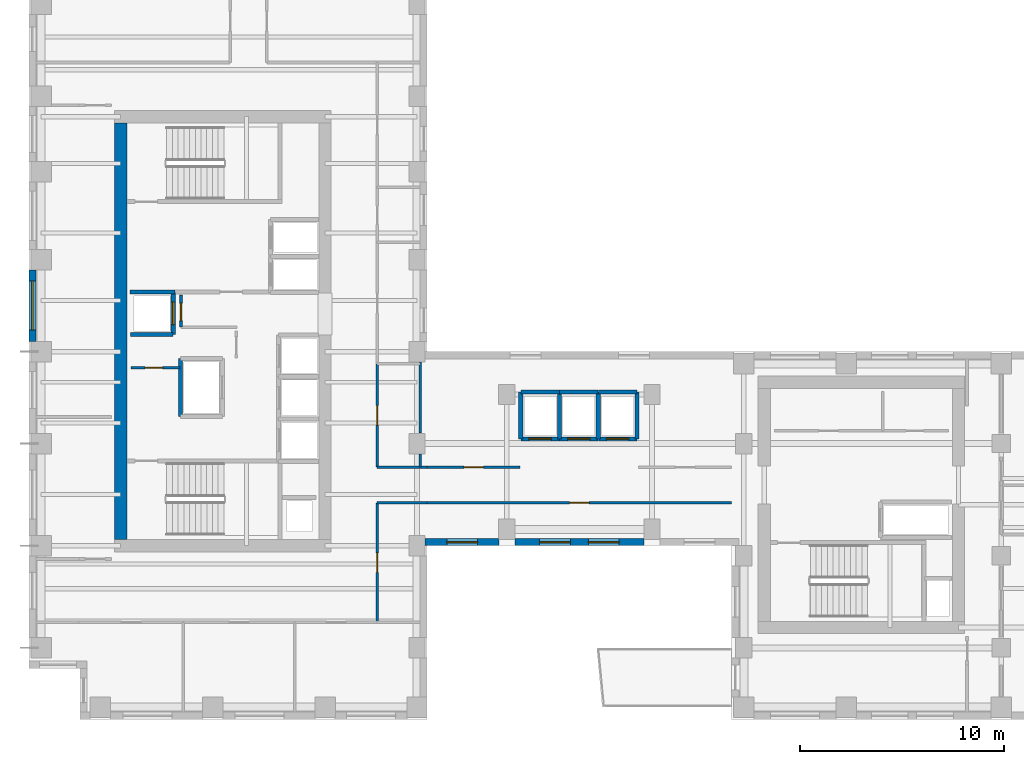
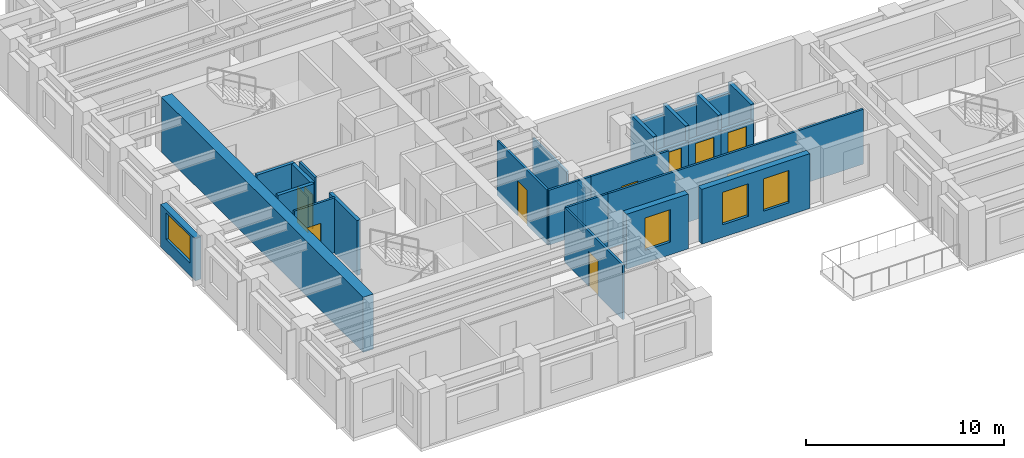
# One storey, part 4 of 12: 28 walls, 10 doors, 4 windows, 14 openings.
"""IFC4 building model written with IfcOpenShell, lengths in metres."""

import ifcopenshell
import ifcopenshell.guid

model = None  # the IFC model being written
_history = None  # IfcOwnerHistory: only IFC2X3 demands one
_inside = {}  # id of a spatial element -> (the spatial element, [elements in it])
_under = {}  # id of a project, library or spatial element -> (it, [spatial elements below it])
_declared = {}  # id of a project -> (the project, [libraries it declares])
_typed = {}  # id of a type object -> (the type object, [elements of that type])
_made_of = {}  # id of a material, layer set ... -> (it, [elements and type objects made of it])


def new_model(schema):
    """Start an empty IFC model of exactly this schema.

    Asked for "IFC4X3", IfcOpenShell would pick the latest addendum, in which some entities
    have other attributes; the version numbers below select the first issue.
    IFC2X3 requires an IfcOwnerHistory on every rooted entity: one is made here for all.
    """
    global model, _history
    if schema == "IFC4X3":
        model = ifcopenshell.file(schema_version=(4, 3, 0, 0))
    else:
        model = ifcopenshell.file(schema=schema)
    _inside.clear()
    _under.clear()
    _declared.clear()
    _typed.clear()
    _made_of.clear()
    _history = None
    if model.schema == "IFC2X3":
        org = make("IfcOrganization", Name="unknown")
        user = make(
            "IfcPersonAndOrganization",
            ThePerson=make("IfcPerson", FamilyName="unknown"),
            TheOrganization=org,
        )
        app = make(
            "IfcApplication",
            ApplicationDeveloper=org,
            Version="unknown",
            ApplicationFullName="unknown",
            ApplicationIdentifier="unknown",
        )
        _history = make(
            "IfcOwnerHistory",
            OwningUser=user,
            OwningApplication=app,
            ChangeAction="ADDED",
            CreationDate=0,
        )
    return model


def make(cls, **values):
    """One entity of the class cls with the attributes given. An attribute that is None is left unset."""
    return model.create_entity(
        cls, **{name: value for name, value in values.items() if value is not None}
    )


def rooted(cls, **values):
    """An entity with a GlobalId (a new one), such as an element, a storey or a relation."""
    return make(cls, GlobalId=ifcopenshell.guid.new(), OwnerHistory=_history, **values)


def si_unit(unit_type, name, prefix=None):
    """IfcSIUnit, for example si_unit("LENGTHUNIT", "METRE", prefix="MILLI")."""
    return make("IfcSIUnit", UnitType=unit_type, Prefix=prefix, Name=name)


def assignment(units):
    """IfcUnitAssignment: the units of a project."""
    return None if units is None else make("IfcUnitAssignment", Units=units)


def point(xyz):
    """IfcCartesianPoint."""
    return None if xyz is None else make("IfcCartesianPoint", Coordinates=xyz)


def direction(xyz):
    """IfcDirection."""
    return None if xyz is None else make("IfcDirection", DirectionRatios=xyz)


def frame(location, z_axis=None, x_axis=None):
    """IfcAxis2Placement3D, a coordinate frame: its origin and axes. An axis left out is left unset."""
    return make(
        "IfcAxis2Placement3D",
        Location=point(location),
        Axis=direction(z_axis),
        RefDirection=direction(x_axis),
    )


def frame_2d(location, x_axis=None):
    """IfcAxis2Placement2D, a coordinate frame in the plane: its origin and x axis."""
    return make(
        "IfcAxis2Placement2D", Location=point(location), RefDirection=direction(x_axis)
    )


def origin():
    """The frame at (0, 0, 0) with its axes left unset."""
    return frame((0.0, 0.0, 0.0))


def place(relative_to, where):
    """IfcLocalPlacement: puts the frame where relative to a parent placement (None: the world)."""
    return make(
        "IfcLocalPlacement", PlacementRelTo=relative_to, RelativePlacement=where
    )


def context(
    kind, dimensions, precision=None, world=None, true_north=None, identifier=None
):
    """IfcGeometricRepresentationContext, for example the 3D "Model" context."""
    return make(
        "IfcGeometricRepresentationContext",
        ContextIdentifier=identifier,
        ContextType=kind,
        CoordinateSpaceDimension=dimensions,
        Precision=precision,
        WorldCoordinateSystem=world,
        TrueNorth=true_north,
    )


def subcontext(parent, identifier, kind, view, scale=None):
    """IfcGeometricRepresentationSubContext, for example "Body" below "Model"."""
    return make(
        "IfcGeometricRepresentationSubContext",
        ContextIdentifier=identifier,
        ContextType=kind,
        ParentContext=parent,
        TargetScale=scale,
        TargetView=view,
    )


def project(units=None, contexts=None):
    """IfcProject with its units and contexts."""
    return rooted(
        "IfcProject",
        Name="project",
        RepresentationContexts=contexts,
        UnitsInContext=assignment(units),
    )


def spatial(cls, under=None, at=None, **own):
    """A site, building, storey or space (cls), placed at a placement, below another one or the project."""
    s = rooted(cls, ObjectPlacement=at, **own)
    if under is not None:
        _under.setdefault(under.id(), (under, []))[1].append(s)
    return s


def profile(cls, at=None, kind="AREA", **sizes):
    """A parametric profile (cls). Its sizes go by their IFC names, for example OverallWidth=200.0."""
    return make(cls, ProfileType=kind, Position=at, **sizes)


def rectangle(**sizes):
    """IfcRectangleProfileDef."""
    return profile("IfcRectangleProfileDef", **sizes)


def extrude(swept, where, along, depth):
    """IfcExtrudedAreaSolid: the profile swept, set in the frame where, extruded along a direction by depth."""
    return make(
        "IfcExtrudedAreaSolid",
        SweptArea=swept,
        Position=where,
        ExtrudedDirection=direction(along),
        Depth=depth,
    )


def shape(context_of_items, identifier, shape_type, items):
    """IfcShapeRepresentation: the items that make up one representation, for example the "Body"."""
    return make(
        "IfcShapeRepresentation",
        ContextOfItems=context_of_items,
        RepresentationIdentifier=identifier,
        RepresentationType=shape_type,
        Items=items,
    )


def source(mapping_origin, context_of_items, identifier, shape_type, items):
    """IfcRepresentationMap: a shape defined once, which mapped items show again and again."""
    return make(
        "IfcRepresentationMap",
        MappingOrigin=mapping_origin,
        MappedRepresentation=shape(context_of_items, identifier, shape_type, items),
    )


def transform(
    local_origin,
    x_axis=None,
    y_axis=None,
    z_axis=None,
    scale=None,
    scale2=None,
    scale3=None,
    uniform=True,
):
    """IfcCartesianTransformationOperator3D, or its non-uniform kind. x_axis, y_axis, z_axis: its Axis1, 2, 3."""
    if uniform:
        return make(
            "IfcCartesianTransformationOperator3D",
            Axis1=direction(x_axis),
            Axis2=direction(y_axis),
            LocalOrigin=point(local_origin),
            Scale=scale,
            Axis3=direction(z_axis),
        )
    return make(
        "IfcCartesianTransformationOperator3DnonUniform",
        Axis1=direction(x_axis),
        Axis2=direction(y_axis),
        LocalOrigin=point(local_origin),
        Scale=scale,
        Axis3=direction(z_axis),
        Scale2=scale2,
        Scale3=scale3,
    )


def mapped(mapping_source, mapping_target):
    """IfcMappedItem: shows the shape of a source again, moved by a transform."""
    return make(
        "IfcMappedItem", MappingSource=mapping_source, MappingTarget=mapping_target
    )


def material(Name=None, Category=None):
    """IfcMaterial."""
    return make("IfcMaterial", Name=Name, Category=Category)


def layer(
    of_material, thickness, ventilated=None, Name=None, Category=None, Priority=None
):
    """IfcMaterialLayer: one layer of a wall or slab, of a material (None: an air gap)."""
    return make(
        "IfcMaterialLayer",
        Material=of_material,
        LayerThickness=thickness,
        IsVentilated=ventilated,
        Name=Name,
        Category=Category,
        Priority=Priority,
    )


def layer_set(layers, Name=None):
    """IfcMaterialLayerSet."""
    return make("IfcMaterialLayerSet", MaterialLayers=layers, LayerSetName=Name)


def made_of(thing, what):
    """Note that an element or type object is made of a material, layer set ...; save() writes the relation."""
    if what is not None:
        _made_of.setdefault(what.id(), (what, []))[1].append(thing)
    return thing


def type_object(cls, material=None, **own):
    """A type object (cls), such as IfcWallType, which elements share."""
    return made_of(rooted(cls, **own), material)


def element(
    cls,
    number,
    at=None,
    inside=None,
    cuts=None,
    type_object=None,
    material=None,
    context=None,
    identifier="Body",
    shape_type=None,
    held_by="IfcProductDefinitionShape",
    body=None,
    shapes=None,
    **own,
):
    """One element of the class cls, such as IfcWall. Its Tag is "e" and its number.

    at: its placement. inside: the storey or other place that contains it. cuts: it is an
    opening in that element (IfcRelVoidsElement). A single representation is given by context,
    identifier, shape_type and body (its items); several are given by shapes. held_by: the class
    of the entity that holds the representations. save() writes the other relations.
    """
    e = rooted(cls, Tag="e%d" % number, ObjectPlacement=at, **own)
    if body is not None:
        shapes = [shape(context, identifier, shape_type, body)]
    if shapes is not None:
        e.Representation = make(held_by, Representations=shapes)
    if inside is not None:
        _inside.setdefault(inside.id(), (inside, []))[1].append(e)
    if cuts is not None:
        rooted(
            "IfcRelVoidsElement", RelatingBuildingElement=cuts, RelatedOpeningElement=e
        )
    if type_object is not None:
        _typed.setdefault(type_object.id(), (type_object, []))[1].append(e)
    return made_of(e, material)


def fill(opening, filler):
    """IfcRelFillsElement: the door or window that sits in an opening."""
    return rooted(
        "IfcRelFillsElement",
        RelatingOpeningElement=opening,
        RelatedBuildingElement=filler,
    )


def aggregate(whole, parts):
    """IfcRelAggregates: a whole, such as a stair, and the parts it consists of."""
    return rooted("IfcRelAggregates", RelatingObject=whole, RelatedObjects=parts)


def save(model, path):
    """Write the relations noted so far, then the file.

    IfcRelAggregates (storeys below a building ...), IfcRelContainedInSpatialStructure (elements
    in a storey), IfcRelDefinesByType, IfcRelAssociatesMaterial and IfcRelDeclares: one each for
    every whole, place, type object, material and project.
    """
    for whole, parts in _under.values():
        aggregate(whole, parts)
    for where, things in _inside.values():
        rooted(
            "IfcRelContainedInSpatialStructure",
            RelatedElements=things,
            RelatingStructure=where,
        )
    for kind, things in _typed.values():
        rooted("IfcRelDefinesByType", RelatedObjects=things, RelatingType=kind)
    for what, things in _made_of.values():
        rooted("IfcRelAssociatesMaterial", RelatedObjects=things, RelatingMaterial=what)
    for by, libraries in _declared.values():
        rooted("IfcRelDeclares", RelatingContext=by, RelatedDefinitions=libraries)
    model.write(path)


model = new_model("IFC4")

# Units and contexts
model_context = context("Model", 3, precision=1e-05, world=origin(), true_north=direction((0.0, 1.0)))
body_context = subcontext(model_context, "Body", "Model", "MODEL_VIEW")
ifc_project = project(units=[si_unit("LENGTHUNIT", "METRE"), si_unit("AREAUNIT", "SQUARE_METRE"), si_unit("VOLUMEUNIT", "CUBIC_METRE"), si_unit("PLANEANGLEUNIT", "RADIAN"), si_unit("MASSUNIT", "GRAM", prefix="KILO")], contexts=[model_context])

# Site, building, storey
site_placement = place(None, origin())
site = spatial("IfcSite", under=ifc_project, at=site_placement, CompositionType="ELEMENT")
building_placement = place(site_placement, origin())
building = spatial("IfcBuilding", under=site, at=building_placement, Name="Kharzan Plaza Tower", CompositionType="ELEMENT")
storey_placement = place(building_placement, frame((0.0, 0.0, 164.699951171875)))
storey = spatial("IfcBuildingStorey", under=building, at=storey_placement, Name="L44", CompositionType="ELEMENT", Elevation=164.699951171875)

# Wall, opening, window
ifc_material_1 = material(Name="Concrete C40/50", Category="concrete")
ifc_layer_1 = layer(ifc_material_1, 0.35009765625)
ifc_layer_set_1 = layer_set([ifc_layer_1], Name="Concrete C40/50")
wall_type_1 = type_object("IfcWallType", Name="WL-EXT-MAS-Z3", PredefinedType="SOLIDWALL", material=ifc_layer_set_1)
wall_1_placement = place(storey_placement, frame((0.175048828125, 22.001953125, 0.0), z_axis=(0.0, 0.0, 1.0), x_axis=(0.0, -1.0, 0.0)))
wall_1 = element("IfcWall", 1, at=wall_1_placement, inside=storey, type_object=wall_type_1, Name="L44 Masonry-Frame Exterior Wall 14", PredefinedType="SOLIDWALL", context=body_context, shape_type="SweptSolid", body=[
    extrude(rectangle(XDim=3.50390625, YDim=0.35009765625, at=frame_2d((1.751953125, 0.0))), origin(), (0.0, 0.0, 1.0), 2.612060546875),
])
opening_1_placement = place(wall_1_placement, frame((0.552001953125, 0.0, 0.780029296875)))
opening_1 = element("IfcOpeningElement", 2, at=opening_1_placement, cuts=wall_1, Name="Opening W2", PredefinedType="OPENING", context=body_context, shape_type="SweptSolid", body=[
    extrude(rectangle(XDim=2.39990234375, YDim=1.652099609375, at=frame_2d((1.199951171875, 0.826171875))), frame((0.0, 0.18505859375, 0.0), z_axis=(0.0, -1.0, 0.0), x_axis=(1.0, 0.0, 0.0)), (0.0, 0.0, 1.0), 0.3701171875),
])
ifc_material_2 = material(Name="Low-E Double Glazing", Category="glass")
window_type_1 = type_object("IfcWindowType", Name="WN-REC-2400x2100", PartitioningType="SINGLE_PANEL", PredefinedType="WINDOW", material=ifc_material_2)
shared_shape_1 = source(origin(), body_context, "Body", "SweptSolid", [
    extrude(rectangle(XDim=2.39990234375, YDim=1.652099609375, at=frame_2d((1.199951171875, 0.826171875))), frame((0.0, 0.030029296875, 0.0), z_axis=(0.0, -1.0, 0.0), x_axis=(1.0, 0.0, 0.0)), (0.0, 0.0, 1.0), 0.06005859375),
])
window_1_placement = place(opening_1_placement, origin())
window_1 = element("IfcWindow", 3, at=window_1_placement, inside=storey, type_object=window_type_1, Name="L44 Wide Recessed Solar-Control Window 14-1", OverallHeight=1.652099609375, OverallWidth=2.39990234375, PartitioningType="SINGLE_PANEL", PredefinedType="WINDOW", context=body_context, shape_type="MappedRepresentation", body=[
    mapped(shared_shape_1, transform((0.0, 0.0, 0.0), x_axis=(1.0, 0.0, 0.0), y_axis=(0.0, 1.0, 0.0), z_axis=(0.0, 0.0, 1.0))),
])
fill(opening_1, window_1)

wall_2_placement = place(storey_placement, frame((19.39794921875, 8.675048828125, 0.0), z_axis=(0.0, 0.0, 1.0), x_axis=(1.0, 0.0, 0.0)))
wall_2 = element("IfcWall", 4, at=wall_2_placement, inside=storey, type_object=wall_type_1, Name="L44 Masonry-Frame Exterior Wall 26", PredefinedType="SOLIDWALL", context=body_context, shape_type="SweptSolid", body=[
    extrude(rectangle(XDim=3.60400390625, YDim=0.35009765625, at=frame_2d((1.802001953125, 0.0))), origin(), (0.0, 0.0, 1.0), 3.385009765625),
])
opening_2_placement = place(wall_2_placement, frame((1.067138671875, 0.0, 0.780029296875)))
opening_2 = element("IfcOpeningElement", 5, at=opening_2_placement, cuts=wall_2, Name="Opening W5", PredefinedType="OPENING", context=body_context, shape_type="SweptSolid", body=[
    extrude(rectangle(XDim=1.5, YDim=2.0, at=frame_2d((0.75, 1.0))), frame((0.0, 0.18505859375, 0.0), z_axis=(0.0, -1.0, 0.0), x_axis=(1.0, 0.0, 0.0)), (0.0, 0.0, 1.0), 0.3701171875),
])
window_type_2 = type_object("IfcWindowType", Name="WN-SLT-1500x2000", PartitioningType="SINGLE_PANEL", PredefinedType="WINDOW", material=ifc_material_2)
shared_shape_2 = source(origin(), body_context, "Body", "SweptSolid", [
    extrude(rectangle(XDim=1.5, YDim=2.0, at=frame_2d((0.75, 1.0))), frame((0.0, 0.030029296875, 0.0), z_axis=(0.0, -1.0, 0.0), x_axis=(1.0, 0.0, 0.0)), (0.0, 0.0, 1.0), 0.06005859375),
])
window_2_placement = place(opening_2_placement, origin())
window_2 = element("IfcWindow", 6, at=window_2_placement, inside=storey, type_object=window_type_2, Name="L44 Recessed Solar-Control Window 26-1", OverallHeight=2.0, OverallWidth=1.5, PartitioningType="SINGLE_PANEL", PredefinedType="WINDOW", context=body_context, shape_type="MappedRepresentation", body=[
    mapped(shared_shape_2, transform((0.0, 0.0, 0.0), x_axis=(1.0, 0.0, 0.0), y_axis=(0.0, 1.0, 0.0), z_axis=(0.0, 0.0, 1.0))),
])
fill(opening_2, window_2)

# Wall, openings, windows
wall_3_placement = place(storey_placement, frame((23.798095703125, 8.675048828125, 0.0), z_axis=(0.0, 0.0, 1.0), x_axis=(1.0, 0.0, 0.0)))
wall_3 = element("IfcWall", 7, at=wall_3_placement, inside=storey, type_object=wall_type_1, Name="L44 Masonry-Frame Exterior Wall 27", PredefinedType="SOLIDWALL", context=body_context, shape_type="SweptSolid", body=[
    extrude(rectangle(XDim=6.303955078125, YDim=0.35009765625, at=frame_2d((3.15185546875, 0.0))), origin(), (0.0, 0.0, 1.0), 3.385009765625),
])
opening_3_placement = place(wall_3_placement, frame((1.2080078125, 0.0, 0.780029296875)))
opening_3 = element("IfcOpeningElement", 8, at=opening_3_placement, cuts=wall_3, Name="Opening W5", PredefinedType="OPENING", context=body_context, shape_type="SweptSolid", body=[
    extrude(rectangle(XDim=1.5, YDim=2.0, at=frame_2d((0.75, 1.0))), frame((0.0, 0.18505859375, 0.0), z_axis=(0.0, -1.0, 0.0), x_axis=(1.0, 0.0, 0.0)), (0.0, 0.0, 1.0), 0.3701171875),
])
opening_4_placement = place(wall_3_placement, frame((3.595947265625, 0.0, 0.780029296875)))
opening_4 = element("IfcOpeningElement", 9, at=opening_4_placement, cuts=wall_3, Name="Opening W5", PredefinedType="OPENING", context=body_context, shape_type="SweptSolid", body=[
    extrude(rectangle(XDim=1.5, YDim=2.0, at=frame_2d((0.75, 1.0))), frame((0.0, 0.18505859375, 0.0), z_axis=(0.0, -1.0, 0.0), x_axis=(1.0, 0.0, 0.0)), (0.0, 0.0, 1.0), 0.3701171875),
])
window_3_placement = place(opening_3_placement, origin())
window_3 = element("IfcWindow", 10, at=window_3_placement, inside=storey, type_object=window_type_2, Name="L44 Recessed Solar-Control Window 27-1", OverallHeight=2.0, OverallWidth=1.5, PartitioningType="SINGLE_PANEL", PredefinedType="WINDOW", context=body_context, shape_type="MappedRepresentation", body=[
    mapped(shared_shape_2, transform((0.0, 0.0, 0.0), x_axis=(1.0, 0.0, 0.0), y_axis=(0.0, 1.0, 0.0), z_axis=(0.0, 0.0, 1.0))),
])
fill(opening_3, window_3)
window_4_placement = place(opening_4_placement, origin())
window_4 = element("IfcWindow", 11, at=window_4_placement, inside=storey, type_object=window_type_2, Name="L44 Recessed Solar-Control Window 27-2", OverallHeight=2.0, OverallWidth=1.5, PartitioningType="SINGLE_PANEL", PredefinedType="WINDOW", context=body_context, shape_type="MappedRepresentation", body=[
    mapped(shared_shape_2, transform((0.0, 0.0, 0.0), x_axis=(1.0, 0.0, 0.0), y_axis=(0.0, 1.0, 0.0), z_axis=(0.0, 0.0, 1.0))),
])
fill(opening_4, window_4)

# Wall, opening, door
ifc_material_3 = material(Name="Fire-Rated Gypsum Board Partition", Category="gypsum")
ifc_layer_2 = layer(ifc_material_3, 0.125)
ifc_layer_set_2 = layer_set([ifc_layer_2], Name="Fire-Rated Gypsum Board Partition")
wall_type_2 = type_object("IfcWallType", Name="WL-INT-PART-125", PredefinedType="PARTITIONING", material=ifc_layer_set_2)
wall_4_placement = place(storey_placement, frame((7.449951171875, 19.199951171875, 0.0), z_axis=(0.0, 0.0, 1.0), x_axis=(0.0, 1.0, 0.0)))
wall_4 = element("IfcWall", 12, at=wall_4_placement, inside=storey, type_object=wall_type_2, Name="L44 Interior Partition CA-K2B", PredefinedType="PARTITIONING", context=body_context, shape_type="SweptSolid", body=[
    extrude(rectangle(XDim=1.580078125, YDim=0.125, at=frame_2d((0.7900390625, 0.0))), origin(), (0.0, 0.0, 1.0), 3.385009765625),
])
opening_5_placement = place(wall_4_placement, frame((0.31494140625, 0.0, 0.0)))
opening_5 = element("IfcOpeningElement", 13, at=opening_5_placement, cuts=wall_4, Name="Opening RD1", PredefinedType="OPENING", context=body_context, shape_type="SweptSolid", body=[
    extrude(rectangle(XDim=0.85009765625, YDim=2.10009765625, at=frame_2d((0.425048828125, 1.050048828125))), frame((0.0, 0.072509765625, 0.0), z_axis=(0.0, -1.0, 0.0), x_axis=(1.0, 0.0, 0.0)), (0.0, 0.0, 1.0), 0.14501953125),
])
ifc_material_4 = material(Name="Powder-Coated Fire-Rated Steel", Category="steel")
door_type_1 = type_object("IfcDoorType", Name="DR-RISER-900", OperationType="NOTDEFINED", PredefinedType="DOOR", material=ifc_material_4)
shared_shape_3 = source(origin(), body_context, "Body", "SweptSolid", [
    extrude(rectangle(XDim=0.85009765625, YDim=2.10009765625, at=frame_2d((0.425048828125, 1.050048828125))), frame((0.0, 0.02490234375, 0.0), z_axis=(0.0, -1.0, 0.0), x_axis=(1.0, 0.0, 0.0)), (0.0, 0.0, 1.0), 0.050048828125),
])
door_1_placement = place(opening_5_placement, origin())
door_1 = element("IfcDoor", 14, at=door_1_placement, inside=storey, type_object=door_type_1, Name="L44 Core Plant Store Door", OperationType="SINGLE_SWING_LEFT", OverallHeight=2.10009765625, OverallWidth=0.85009765625, PredefinedType="DOOR", context=body_context, shape_type="MappedRepresentation", body=[
    mapped(shared_shape_3, transform((0.0, 0.0, 0.0), x_axis=(1.0, 0.0, 0.0), y_axis=(0.0, 1.0, 0.0), z_axis=(0.0, 0.0, 1.0))),
])
fill(opening_5, door_1)

wall_5_placement = place(storey_placement, frame((5.0, 17.199951171875, 0.0), z_axis=(0.0, 0.0, 1.0), x_axis=(1.0, 0.0, 0.0)))
wall_5 = element("IfcWall", 15, at=wall_5_placement, inside=storey, type_object=wall_type_2, Name="L44 Interior Partition CA-K2N0", PredefinedType="PARTITIONING", context=body_context, shape_type="SweptSolid", body=[
    extrude(rectangle(XDim=2.39990234375, YDim=0.125, at=frame_2d((1.199951171875, 0.0))), origin(), (0.0, 0.0, 1.0), 3.385009765625),
])
opening_6_placement = place(wall_5_placement, frame((0.699951171875, 0.0, 0.0)))
opening_6 = element("IfcOpeningElement", 16, at=opening_6_placement, cuts=wall_5, Name="Opening RD1", PredefinedType="OPENING", context=body_context, shape_type="SweptSolid", body=[
    extrude(rectangle(XDim=0.85009765625, YDim=2.10009765625, at=frame_2d((0.425048828125, 1.050048828125))), frame((0.0, 0.072509765625, 0.0), z_axis=(0.0, -1.0, 0.0), x_axis=(1.0, 0.0, 0.0)), (0.0, 0.0, 1.0), 0.14501953125),
])
door_2_placement = place(opening_6_placement, origin())
door_2 = element("IfcDoor", 17, at=door_2_placement, inside=storey, type_object=door_type_1, Name="L44 Core Electrical Store Door", OperationType="SINGLE_SWING_LEFT", OverallHeight=2.10009765625, OverallWidth=0.85009765625, PredefinedType="DOOR", context=body_context, shape_type="MappedRepresentation", body=[
    mapped(shared_shape_3, transform((0.0, 0.0, 0.0), x_axis=(1.0, 0.0, 0.0), y_axis=(0.0, 1.0, 0.0), z_axis=(0.0, 0.0, 1.0))),
])
fill(opening_6, door_2)

wall_6_placement = place(storey_placement, frame((17.050048828125, 12.35009765625, 0.0), z_axis=(0.0, 0.0, 1.0), x_axis=(0.0, 1.0, 0.0)))
wall_6 = element("IfcWall", 18, at=wall_6_placement, inside=storey, type_object=wall_type_2, Name="L44 Interior Partition SH-AEWN1", PredefinedType="PARTITIONING", context=body_context, shape_type="SweptSolid", body=[
    extrude(rectangle(XDim=5.0498046875, YDim=0.125, at=frame_2d((2.52490234375, 0.0))), origin(), (0.0, 0.0, 1.0), 3.385009765625),
])
opening_7_placement = place(wall_6_placement, frame((2.050048828125, 0.0, 0.0)))
opening_7 = element("IfcOpeningElement", 19, at=opening_7_placement, cuts=wall_6, Name="Opening OD1", PredefinedType="OPENING", context=body_context, shape_type="SweptSolid", body=[
    extrude(rectangle(XDim=0.949951171875, YDim=2.14990234375, at=frame_2d((0.47509765625, 1.074951171875))), frame((0.0, 0.072509765625, 0.0), z_axis=(0.0, -1.0, 0.0), x_axis=(1.0, 0.0, 0.0)), (0.0, 0.0, 1.0), 0.14501953125),
])
ifc_material_5 = material(Name="Acoustic Solid-Core Stained Oak", Category="timber")
door_type_2 = type_object("IfcDoorType", Name="DR-OFF-SINGLE", OperationType="NOTDEFINED", PredefinedType="DOOR", material=ifc_material_5)
shared_shape_4 = source(origin(), body_context, "Body", "SweptSolid", [
    extrude(rectangle(XDim=0.949951171875, YDim=2.14990234375, at=frame_2d((0.47509765625, 1.074951171875))), frame((0.0, 0.02490234375, 0.0), z_axis=(0.0, -1.0, 0.0), x_axis=(1.0, 0.0, 0.0)), (0.0, 0.0, 1.0), 0.050048828125),
])
door_3_placement = place(opening_7_placement, origin())
door_3 = element("IfcDoor", 20, at=door_3_placement, inside=storey, type_object=door_type_2, Name="L44 Slot Collaboration Door", OperationType="SINGLE_SWING_LEFT", OverallHeight=2.14990234375, OverallWidth=0.949951171875, PredefinedType="DOOR", context=body_context, shape_type="MappedRepresentation", body=[
    mapped(shared_shape_4, transform((0.0, 0.0, 0.0), x_axis=(1.0, 0.0, 0.0), y_axis=(0.0, 1.0, 0.0), z_axis=(0.0, 0.0, 1.0))),
])
fill(opening_7, door_3)

wall_7_placement = place(storey_placement, frame((17.050048828125, 4.75, 0.0), z_axis=(0.0, 0.0, 1.0), x_axis=(0.0, 1.0, 0.0)))
wall_7 = element("IfcWall", 21, at=wall_7_placement, inside=storey, type_object=wall_type_2, Name="L44 Interior Partition SH-AEWS", PredefinedType="PARTITIONING", context=body_context, shape_type="SweptSolid", body=[
    extrude(rectangle(XDim=5.85009765625, YDim=0.125, at=frame_2d((2.925048828125, 0.0))), origin(), (0.0, 0.0, 1.0), 3.385009765625),
])
opening_8_placement = place(wall_7_placement, frame((2.449951171875, 0.0, 0.0)))
opening_8 = element("IfcOpeningElement", 22, at=opening_8_placement, cuts=wall_7, Name="Opening OD1", PredefinedType="OPENING", context=body_context, shape_type="SweptSolid", body=[
    extrude(rectangle(XDim=0.949951171875, YDim=2.14990234375, at=frame_2d((0.47509765625, 1.074951171875))), frame((0.0, 0.072509765625, 0.0), z_axis=(0.0, -1.0, 0.0), x_axis=(1.0, 0.0, 0.0)), (0.0, 0.0, 1.0), 0.14501953125),
])
door_4_placement = place(opening_8_placement, origin())
door_4 = element("IfcDoor", 23, at=door_4_placement, inside=storey, type_object=door_type_2, Name="L44 Slot South Office Door", OperationType="SINGLE_SWING_RIGHT", OverallHeight=2.14990234375, OverallWidth=0.949951171875, PredefinedType="DOOR", context=body_context, shape_type="MappedRepresentation", body=[
    mapped(shared_shape_4, transform((0.0, 0.0, 0.0), x_axis=(1.0, 0.0, 0.0), y_axis=(0.0, 1.0, 0.0), z_axis=(0.0, 0.0, 1.0))),
])
fill(opening_8, door_4)

wall_8_placement = place(storey_placement, frame((19.5, 12.35009765625, 0.0), z_axis=(0.0, 0.0, 1.0), x_axis=(1.0, 0.0, 0.0)))
wall_8 = element("IfcWall", 24, at=wall_8_placement, inside=storey, type_object=wall_type_2, Name="L44 Interior Partition SH-SPNW1", PredefinedType="PARTITIONING", context=body_context, shape_type="SweptSolid", body=[
    extrude(rectangle(XDim=4.550048828125, YDim=0.125, at=frame_2d((2.27490234375, 0.0))), origin(), (0.0, 0.0, 1.0), 3.385009765625),
])
opening_9_placement = place(wall_8_placement, frame((1.800048828125, 0.0, 0.0)))
opening_9 = element("IfcOpeningElement", 25, at=opening_9_placement, cuts=wall_8, Name="Opening OD1", PredefinedType="OPENING", context=body_context, shape_type="SweptSolid", body=[
    extrude(rectangle(XDim=0.949951171875, YDim=2.14990234375, at=frame_2d((0.47509765625, 1.074951171875))), frame((0.0, 0.072509765625, 0.0), z_axis=(0.0, -1.0, 0.0), x_axis=(1.0, 0.0, 0.0)), (0.0, 0.0, 1.0), 0.14501953125),
])
door_5_placement = place(opening_9_placement, origin())
door_5 = element("IfcDoor", 26, at=door_5_placement, inside=storey, type_object=door_type_2, Name="L44 North-West Spine Door", OperationType="SINGLE_SWING_RIGHT", OverallHeight=2.14990234375, OverallWidth=0.949951171875, PredefinedType="DOOR", context=body_context, shape_type="MappedRepresentation", body=[
    mapped(shared_shape_4, transform((0.0, 0.0, 0.0), x_axis=(1.0, 0.0, 0.0), y_axis=(0.0, 1.0, 0.0), z_axis=(0.0, 0.0, 1.0))),
])
fill(opening_9, door_5)

wall_9_placement = place(storey_placement, frame((19.5, 10.60009765625, 0.0), z_axis=(0.0, 0.0, 1.0), x_axis=(1.0, 0.0, 0.0)))
wall_9 = element("IfcWall", 27, at=wall_9_placement, inside=storey, type_object=wall_type_2, Name="L44 Interior Partition SH-SPS1", PredefinedType="PARTITIONING", context=body_context, shape_type="SweptSolid", body=[
    extrude(rectangle(XDim=14.89990234375, YDim=0.125, at=frame_2d((7.449951171875, 0.0))), origin(), (0.0, 0.0, 1.0), 3.385009765625),
])
opening_10_placement = place(wall_9_placement, frame((6.97509765625, 0.0, 0.0)))
opening_10 = element("IfcOpeningElement", 28, at=opening_10_placement, cuts=wall_9, Name="Opening OD1", PredefinedType="OPENING", context=body_context, shape_type="SweptSolid", body=[
    extrude(rectangle(XDim=0.949951171875, YDim=2.14990234375, at=frame_2d((0.47509765625, 1.074951171875))), frame((0.0, 0.072509765625, 0.0), z_axis=(0.0, -1.0, 0.0), x_axis=(1.0, 0.0, 0.0)), (0.0, 0.0, 1.0), 0.14501953125),
])
door_6_placement = place(opening_10_placement, origin())
door_6 = element("IfcDoor", 29, at=door_6_placement, inside=storey, type_object=door_type_2, Name="L44 South Spine Studio Door", OperationType="SINGLE_SWING_LEFT", OverallHeight=2.14990234375, OverallWidth=0.949951171875, PredefinedType="DOOR", context=body_context, shape_type="MappedRepresentation", body=[
    mapped(shared_shape_4, transform((0.0, 0.0, 0.0), x_axis=(1.0, 0.0, 0.0), y_axis=(0.0, 1.0, 0.0), z_axis=(0.0, 0.0, 1.0))),
])
fill(opening_10, door_6)

ifc_layer_3 = layer(ifc_material_1, 0.199951171875)
ifc_layer_set_3 = layer_set([ifc_layer_3], Name="Concrete C40/50")
wall_type_3 = type_object("IfcWallType", Name="WL-INT-SHAFT-200", PredefinedType="PARTITIONING", material=ifc_layer_set_3)
wall_10_placement = place(storey_placement, frame((7.070068359375, 18.840087890625, 0.0), z_axis=(0.0, 0.0, 1.0), x_axis=(0.0, 1.0, 0.0)))
wall_10 = element("IfcWall", 30, at=wall_10_placement, inside=storey, type_object=wall_type_3, Name="L44 Interior Partition SHF-PL-H4-E", PredefinedType="PARTITIONING", context=body_context, shape_type="SweptSolid", body=[
    extrude(rectangle(XDim=2.059814453125, YDim=0.199951171875, at=frame_2d((1.02978515625, 0.0))), origin(), (0.0, 0.0, 1.0), 3.385009765625),
])
opening_11_placement = place(wall_10_placement, frame((0.47998046875, 0.0, 0.0)))
opening_11 = element("IfcOpeningElement", 31, at=opening_11_placement, cuts=wall_10, Name="Opening LD", PredefinedType="OPENING", context=body_context, shape_type="SweptSolid", body=[
    extrude(rectangle(XDim=1.10009765625, YDim=2.199951171875, at=frame_2d((0.550048828125, 1.10009765625))), frame((0.0, 0.10986328125, 0.0), z_axis=(0.0, -1.0, 0.0), x_axis=(1.0, 0.0, 0.0)), (0.0, 0.0, 1.0), 0.219970703125),
])
ifc_material_6 = material(Name="Brushed Stainless Steel", Category="steel")
door_type_3 = type_object("IfcDoorType", Name="DR-LIFT-SLIDE", OperationType="SLIDING_TO_LEFT", PredefinedType="DOOR", material=ifc_material_6)
shared_shape_5 = source(origin(), body_context, "Body", "SweptSolid", [
    extrude(rectangle(XDim=1.10009765625, YDim=2.199951171875, at=frame_2d((0.550048828125, 1.10009765625))), frame((0.0, 0.02490234375, 0.0), z_axis=(0.0, -1.0, 0.0), x_axis=(1.0, 0.0, 0.0)), (0.0, 0.0, 1.0), 0.050048828125),
])
door_7_placement = place(opening_11_placement, origin())
door_7 = element("IfcDoor", 32, at=door_7_placement, inside=storey, type_object=door_type_3, Name="L44 High-Rise Passenger Lift PL-H4 Sliding Landing Door", OperationType="SLIDING_TO_LEFT", OverallHeight=2.199951171875, OverallWidth=1.10009765625, PredefinedType="DOOR", context=body_context, shape_type="MappedRepresentation", body=[
    mapped(shared_shape_5, transform((0.0, 0.0, 0.0), x_axis=(1.0, 0.0, 0.0), y_axis=(0.0, 1.0, 0.0), z_axis=(0.0, 0.0, 1.0))),
])
fill(opening_11, door_7)

wall_11_placement = place(storey_placement, frame((24.080078125, 13.72998046875, 0.0), z_axis=(0.0, 0.0, 1.0), x_axis=(1.0, 0.0, 0.0)))
wall_11 = element("IfcWall", 33, at=wall_11_placement, inside=storey, type_object=wall_type_3, Name="L44 Interior Partition SHF-PL-M1-S", PredefinedType="PARTITIONING", context=body_context, shape_type="SweptSolid", body=[
    extrude(rectangle(XDim=1.889892578125, YDim=0.199951171875, at=frame_2d((0.94482421875, 0.0))), origin(), (0.0, 0.0, 1.0), 2.466064453125),
])
opening_12_placement = place(wall_11_placement, frame((0.39501953125, 0.0, 0.0)))
opening_12 = element("IfcOpeningElement", 34, at=opening_12_placement, cuts=wall_11, Name="Opening LD", PredefinedType="OPENING", context=body_context, shape_type="SweptSolid", body=[
    extrude(rectangle(XDim=1.10009765625, YDim=2.199951171875, at=frame_2d((0.550048828125, 1.10009765625))), frame((0.0, 0.10986328125, 0.0), z_axis=(0.0, -1.0, 0.0), x_axis=(1.0, 0.0, 0.0)), (0.0, 0.0, 1.0), 0.219970703125),
])
door_8_placement = place(opening_12_placement, origin())
door_8 = element("IfcDoor", 35, at=door_8_placement, inside=storey, type_object=door_type_3, Name="L44 Mid-Rise Passenger Lift PL-M1 Sliding Landing Door", OperationType="SLIDING_TO_LEFT", OverallHeight=2.199951171875, OverallWidth=1.10009765625, PredefinedType="DOOR", context=body_context, shape_type="MappedRepresentation", body=[
    mapped(shared_shape_5, transform((0.0, 0.0, 0.0), x_axis=(1.0, 0.0, 0.0), y_axis=(0.0, 1.0, 0.0), z_axis=(0.0, 0.0, 1.0))),
])
fill(opening_12, door_8)

wall_12_placement = place(storey_placement, frame((25.97998046875, 13.72998046875, 0.0), z_axis=(0.0, 0.0, 1.0), x_axis=(1.0, 0.0, 0.0)))
wall_12 = element("IfcWall", 36, at=wall_12_placement, inside=storey, type_object=wall_type_3, Name="L44 Interior Partition SHF-PL-M2-S", PredefinedType="PARTITIONING", context=body_context, shape_type="SweptSolid", body=[
    extrude(rectangle(XDim=1.89013671875, YDim=0.199951171875, at=frame_2d((0.945068359375, 0.0))), origin(), (0.0, 0.0, 1.0), 2.466064453125),
])
opening_13_placement = place(wall_12_placement, frame((0.39501953125, 0.0, 0.0)))
opening_13 = element("IfcOpeningElement", 37, at=opening_13_placement, cuts=wall_12, Name="Opening LD", PredefinedType="OPENING", context=body_context, shape_type="SweptSolid", body=[
    extrude(rectangle(XDim=1.10009765625, YDim=2.199951171875, at=frame_2d((0.550048828125, 1.10009765625))), frame((0.0, 0.10986328125, 0.0), z_axis=(0.0, -1.0, 0.0), x_axis=(1.0, 0.0, 0.0)), (0.0, 0.0, 1.0), 0.219970703125),
])
door_9_placement = place(opening_13_placement, origin())
door_9 = element("IfcDoor", 38, at=door_9_placement, inside=storey, type_object=door_type_3, Name="L44 Mid-Rise Passenger Lift PL-M2 Sliding Landing Door", OperationType="SLIDING_TO_LEFT", OverallHeight=2.199951171875, OverallWidth=1.10009765625, PredefinedType="DOOR", context=body_context, shape_type="MappedRepresentation", body=[
    mapped(shared_shape_5, transform((0.0, 0.0, 0.0), x_axis=(1.0, 0.0, 0.0), y_axis=(0.0, 1.0, 0.0), z_axis=(0.0, 0.0, 1.0))),
])
fill(opening_13, door_9)

wall_13_placement = place(storey_placement, frame((27.8798828125, 13.72998046875, 0.0), z_axis=(0.0, 0.0, 1.0), x_axis=(1.0, 0.0, 0.0)))
wall_13 = element("IfcWall", 39, at=wall_13_placement, inside=storey, type_object=wall_type_3, Name="L44 Interior Partition SHF-PL-M3-S", PredefinedType="PARTITIONING", context=body_context, shape_type="SweptSolid", body=[
    extrude(rectangle(XDim=1.89013671875, YDim=0.199951171875, at=frame_2d((0.945068359375, 0.0))), origin(), (0.0, 0.0, 1.0), 2.466064453125),
])
opening_14_placement = place(wall_13_placement, frame((0.39501953125, 0.0, 0.0)))
opening_14 = element("IfcOpeningElement", 40, at=opening_14_placement, cuts=wall_13, Name="Opening LD", PredefinedType="OPENING", context=body_context, shape_type="SweptSolid", body=[
    extrude(rectangle(XDim=1.10009765625, YDim=2.199951171875, at=frame_2d((0.550048828125, 1.10009765625))), frame((0.0, 0.10986328125, 0.0), z_axis=(0.0, -1.0, 0.0), x_axis=(1.0, 0.0, 0.0)), (0.0, 0.0, 1.0), 0.219970703125),
])
door_10_placement = place(opening_14_placement, origin())
door_10 = element("IfcDoor", 41, at=door_10_placement, inside=storey, type_object=door_type_3, Name="L44 Mid-Rise Passenger Lift PL-M3 Sliding Landing Door", OperationType="SLIDING_TO_LEFT", OverallHeight=2.199951171875, OverallWidth=1.10009765625, PredefinedType="DOOR", context=body_context, shape_type="MappedRepresentation", body=[
    mapped(shared_shape_5, transform((0.0, 0.0, 0.0), x_axis=(1.0, 0.0, 0.0), y_axis=(0.0, 1.0, 0.0), z_axis=(0.0, 0.0, 1.0))),
])
fill(opening_14, door_10)

# Walls
ifc_layer_4 = layer(ifc_material_1, 0.179931640625)
ifc_layer_set_4 = layer_set([ifc_layer_4], Name="Concrete C40/50")
wall_type_4 = type_object("IfcWallType", Name="WL-INT-FIRE-180", PredefinedType="PARTITIONING", material=ifc_layer_set_4)
shared_shape_6 = source(origin(), body_context, "Body", "SweptSolid", [
    extrude(rectangle(XDim=2.199951171875, YDim=0.179931640625, at=frame_2d((1.10009765625, 0.0))), origin(), (0.0, 0.0, 1.0), 3.385009765625),
])
wall_14_placement = place(storey_placement, frame((4.949951171875, 20.919921875, 0.0), z_axis=(0.0, 0.0, 1.0), x_axis=(1.0, 0.0, 0.0)))
element("IfcWall", 42, at=wall_14_placement, inside=storey, type_object=wall_type_4, Name="L44 Interior Partition CA-FF-SW", PredefinedType="PARTITIONING", context=body_context, shape_type="MappedRepresentation", body=[
    mapped(shared_shape_6, transform((0.0, 0.0, 0.0), x_axis=(1.0, 0.0, 0.0), y_axis=(0.0, 1.0, 0.0), z_axis=(0.0, 0.0, 1.0))),
])
shared_shape_7 = source(origin(), body_context, "Body", "SweptSolid", [
    extrude(rectangle(XDim=0.6298828125, YDim=0.125, at=frame_2d((0.31494140625, 0.0))), origin(), (0.0, 0.0, 1.0), 2.77294921875),
])
wall_15_placement = place(storey_placement, frame((19.14990234375, 12.35009765625, 0.0), z_axis=(0.0, 0.0, 1.0), x_axis=(0.0, 1.0, 0.0)))
element("IfcWall", 43, at=wall_15_placement, inside=storey, type_object=wall_type_2, Name="L44 Interior Partition SH-AEN-DIV-S1", PredefinedType="PARTITIONING", context=body_context, shape_type="MappedRepresentation", body=[
    mapped(shared_shape_7, transform((0.0, 0.0, 0.0), x_axis=(1.0, 0.0, 0.0), y_axis=(0.0, 1.0, 0.0), z_axis=(0.0, 0.0, 1.0))),
])
shared_shape_8 = source(origin(), body_context, "Body", "SweptSolid", [
    extrude(rectangle(XDim=3.4599609375, YDim=0.125, at=frame_2d((1.72998046875, 0.0))), origin(), (0.0, 0.0, 1.0), 2.77294921875),
])
wall_16_placement = place(storey_placement, frame((19.14990234375, 14.02001953125, 0.0), z_axis=(0.0, 0.0, 1.0), x_axis=(0.0, 1.0, 0.0)))
element("IfcWall", 44, at=wall_16_placement, inside=storey, type_object=wall_type_2, Name="L44 Interior Partition SH-AEN-DIV-S2", PredefinedType="PARTITIONING", context=body_context, shape_type="MappedRepresentation", body=[
    mapped(shared_shape_8, transform((0.0, 0.0, 0.0), x_axis=(1.0, 0.0, 0.0), y_axis=(0.0, 1.0, 0.0), z_axis=(0.0, 0.0, 1.0))),
])
shared_shape_9 = source(origin(), body_context, "Body", "SweptSolid", [
    extrude(rectangle(XDim=2.449951171875, YDim=0.125, at=frame_2d((1.22509765625, 0.0))), origin(), (0.0, 0.0, 1.0), 3.385009765625),
])
for number, where, z_axis, x_axis, name in (
    (45, (17.050048828125, 12.35009765625, 0.0), (0.0, 0.0, 1.0), (1.0, 0.0, 0.0), "L44 Interior Partition SH-SPNW0"),
    (46, (17.050048828125, 10.60009765625, 0.0), (0.0, 0.0, 1.0), (1.0, 0.0, 0.0), "L44 Interior Partition SH-SPS0"),
):
    element("IfcWall", number, at=place(storey_placement, frame(where, z_axis=z_axis, x_axis=x_axis)), inside=storey, type_object=wall_type_2, Name=name, PredefinedType="PARTITIONING", context=body_context, shape_type="MappedRepresentation", body=[
        mapped(shared_shape_9, transform((0.0, 0.0, 0.0), x_axis=(1.0, 0.0, 0.0), y_axis=(0.0, 1.0, 0.0), z_axis=(0.0, 0.0, 1.0))),
    ])
shared_shape_10 = source(origin(), body_context, "Body", "SweptSolid", [
    extrude(rectangle(XDim=2.090087890625, YDim=0.199951171875, at=frame_2d((1.044921875, 0.0))), origin(), (0.0, 0.0, 1.0), 3.385009765625),
])
wall_17_placement = place(storey_placement, frame((4.97998046875, 18.840087890625, 0.0), z_axis=(0.0, 0.0, 1.0), x_axis=(1.0, 0.0, 0.0)))
element("IfcWall", 47, at=wall_17_placement, inside=storey, type_object=wall_type_3, Name="L44 Interior Partition SHF-PL-H4-S", PredefinedType="PARTITIONING", context=body_context, shape_type="MappedRepresentation", body=[
    mapped(shared_shape_10, transform((0.0, 0.0, 0.0), x_axis=(1.0, 0.0, 0.0), y_axis=(0.0, 1.0, 0.0), z_axis=(0.0, 0.0, 1.0))),
])
shared_shape_11 = source(origin(), body_context, "Body", "SweptSolid", [
    extrude(rectangle(XDim=2.2900390625, YDim=0.199951171875, at=frame_2d((1.14501953125, 0.0))), origin(), (0.0, 0.0, 1.0), 3.385009765625),
])
for number, where, z_axis, x_axis, name in (
    (48, (25.969970703125, 13.72998046875, 0.0), (0.0, 0.0, 1.0), (0.0, 1.0, 0.0), "L44 Interior Partition SHF-PL-M1-E"),
    (49, (24.080078125, 13.72998046875, 0.0), (0.0, 0.0, 1.0), (0.0, 1.0, 0.0), "L44 Interior Partition SHF-PL-M1-W"),
    (50, (27.8701171875, 13.72998046875, 0.0), (0.0, 0.0, 1.0), (0.0, 1.0, 0.0), "L44 Interior Partition SHF-PL-M2-E"),
    (51, (29.77001953125, 13.72998046875, 0.0), (0.0, 0.0, 1.0), (0.0, 1.0, 0.0), "L44 Interior Partition SHF-PL-M3-E"),
):
    element("IfcWall", number, at=place(storey_placement, frame(where, z_axis=z_axis, x_axis=x_axis)), inside=storey, type_object=wall_type_3, Name=name, PredefinedType="PARTITIONING", context=body_context, shape_type="MappedRepresentation", body=[
        mapped(shared_shape_11, transform((0.0, 0.0, 0.0), x_axis=(1.0, 0.0, 0.0), y_axis=(0.0, 1.0, 0.0), z_axis=(0.0, 0.0, 1.0))),
    ])
shared_shape_12 = source(origin(), body_context, "Body", "SweptSolid", [
    extrude(rectangle(XDim=1.889892578125, YDim=0.199951171875, at=frame_2d((0.94482421875, 0.0))), origin(), (0.0, 0.0, 1.0), 2.77294921875),
])
wall_18_placement = place(storey_placement, frame((24.080078125, 16.02001953125, 0.0), z_axis=(0.0, 0.0, 1.0), x_axis=(1.0, 0.0, 0.0)))
element("IfcWall", 52, at=wall_18_placement, inside=storey, type_object=wall_type_3, Name="L44 Interior Partition SHF-PL-M1-N", PredefinedType="PARTITIONING", context=body_context, shape_type="MappedRepresentation", body=[
    mapped(shared_shape_12, transform((0.0, 0.0, 0.0), x_axis=(1.0, 0.0, 0.0), y_axis=(0.0, 1.0, 0.0), z_axis=(0.0, 0.0, 1.0))),
])
shared_shape_13 = source(origin(), body_context, "Body", "SweptSolid", [
    extrude(rectangle(XDim=1.89013671875, YDim=0.199951171875, at=frame_2d((0.945068359375, 0.0))), origin(), (0.0, 0.0, 1.0), 2.77294921875),
])
for number, where, z_axis, x_axis, name in (
    (53, (25.97998046875, 16.02001953125, 0.0), (0.0, 0.0, 1.0), (1.0, 0.0, 0.0), "L44 Interior Partition SHF-PL-M2-N"),
    (54, (27.8798828125, 16.02001953125, 0.0), (0.0, 0.0, 1.0), (1.0, 0.0, 0.0), "L44 Interior Partition SHF-PL-M3-N"),
):
    element("IfcWall", number, at=place(storey_placement, frame(where, z_axis=z_axis, x_axis=x_axis)), inside=storey, type_object=wall_type_3, Name=name, PredefinedType="PARTITIONING", context=body_context, shape_type="MappedRepresentation", body=[
        mapped(shared_shape_13, transform((0.0, 0.0, 0.0), x_axis=(1.0, 0.0, 0.0), y_axis=(0.0, 1.0, 0.0), z_axis=(0.0, 0.0, 1.0))),
    ])
shared_shape_14 = source(origin(), body_context, "Body", "SweptSolid", [
    extrude(rectangle(XDim=2.83984375, YDim=0.199951171875, at=frame_2d((1.419921875, 0.0))), origin(), (0.0, 0.0, 1.0), 3.385009765625),
])
wall_19_placement = place(storey_placement, frame((7.429931640625, 14.830078125, 0.0), z_axis=(0.0, 0.0, 1.0), x_axis=(0.0, 1.0, 0.0)))
element("IfcWall", 55, at=wall_19_placement, inside=storey, type_object=wall_type_3, Name="L44 Interior Partition SHF-SVL-1-W", PredefinedType="PARTITIONING", context=body_context, shape_type="MappedRepresentation", body=[
    mapped(shared_shape_14, transform((0.0, 0.0, 0.0), x_axis=(1.0, 0.0, 0.0), y_axis=(0.0, 1.0, 0.0), z_axis=(0.0, 0.0, 1.0))),
])
ifc_material_7 = material(Name="Concrete C50/60", Category="concrete")
ifc_layer_5 = layer(ifc_material_7, 0.60009765625)
ifc_layer_set_5 = layer_set([ifc_layer_5], Name="Concrete C50/60")
wall_type_5 = type_object("IfcWallType", Name="WL-CORE-600", PredefinedType="SHEAR", material=ifc_layer_set_5)
shared_shape_15 = source(origin(), body_context, "Body", "SweptSolid", [
    extrude(rectangle(XDim=20.39990234375, YDim=0.60009765625, at=frame_2d((10.199951171875, 0.0))), origin(), (0.0, 0.0, 1.0), 3.400146484375),
])
wall_20_placement = place(storey_placement, frame((4.5, 8.800048828125, 0.0), z_axis=(0.0, 0.0, 1.0), x_axis=(0.0, 1.0, 0.0)))
element("IfcWall", 56, at=wall_20_placement, inside=storey, type_object=wall_type_5, Name="L44 CORE-A west RC shear wall", PredefinedType="SHEAR", context=body_context, shape_type="MappedRepresentation", body=[
    mapped(shared_shape_15, transform((0.0, 0.0, 0.0), x_axis=(1.0, 0.0, 0.0), y_axis=(0.0, 1.0, 0.0), z_axis=(0.0, 0.0, 1.0))),
])

save(model, "model.ifc")
